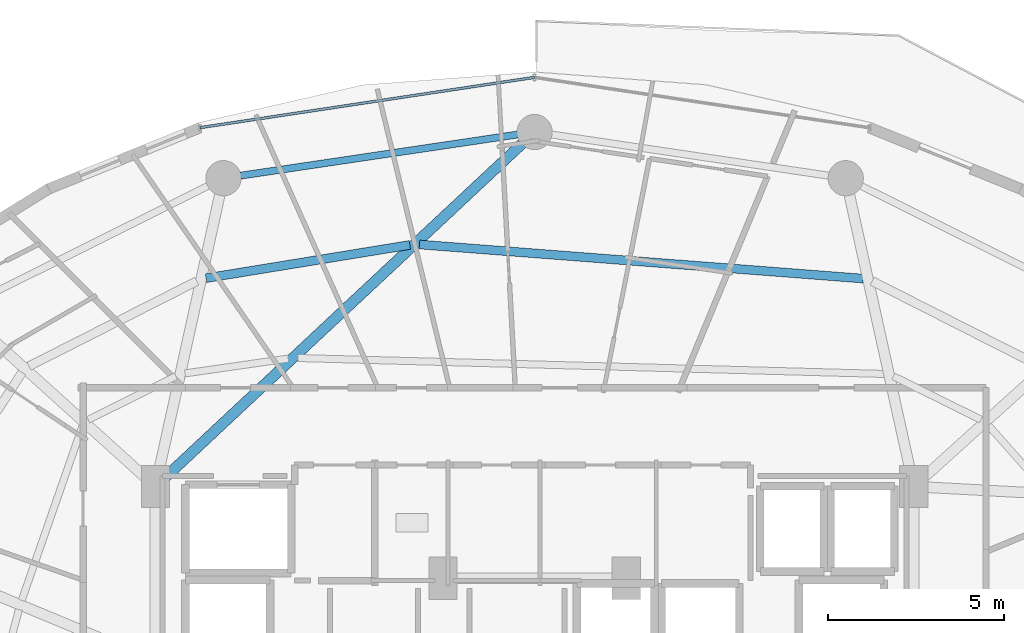
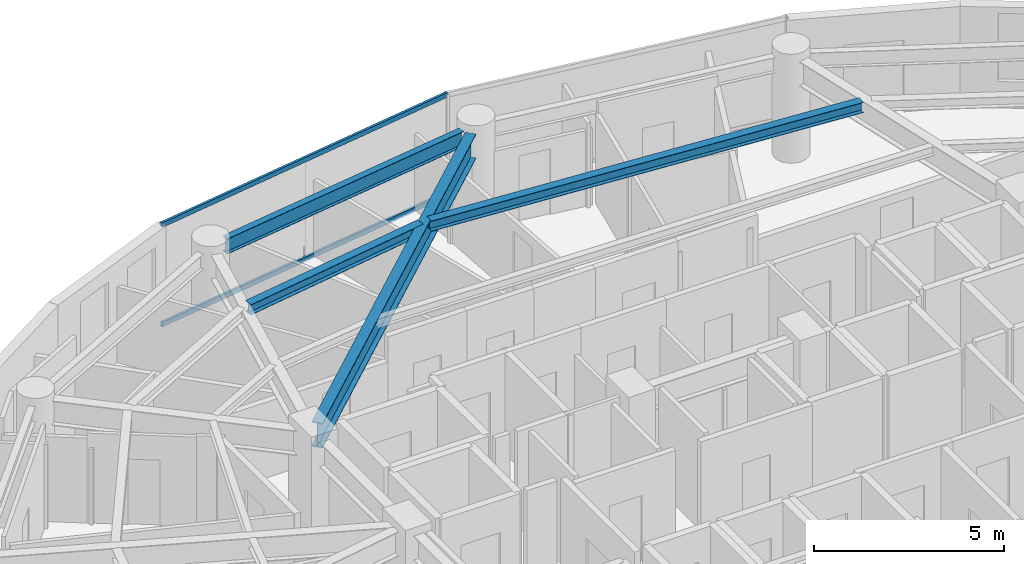
# One storey, part 16 of 28: 4 beams, 2 members, 1 element without a shape of its own.
"""IFC4 building model written with IfcOpenShell, lengths in metres."""

from ifc_helpers import new_model, si_unit, direction, frame, origin, origin_2d, place, context, subcontext, project, spatial, hollow_rectangle, i_section, extrude, material, material_profile, profile_set, type_object, element, aggregate, save


model = new_model("IFC4")

# Units and contexts
model_context = context("Model", 3, precision=1e-05, world=origin(), true_north=direction((0.0, 1.0)))
body_context = subcontext(model_context, "Body", "Model", "MODEL_VIEW")
ifc_project = project(units=[si_unit("LENGTHUNIT", "METRE"), si_unit("AREAUNIT", "SQUARE_METRE"), si_unit("VOLUMEUNIT", "CUBIC_METRE"), si_unit("PLANEANGLEUNIT", "RADIAN"), si_unit("MASSUNIT", "GRAM", prefix="KILO")], contexts=[model_context])

# Site, building, storey
site_placement = place(None, origin())
site = spatial("IfcSite", under=ifc_project, at=site_placement, CompositionType="ELEMENT")
building_placement = place(site_placement, origin())
building = spatial("IfcBuilding", under=site, at=building_placement, Name="Vorneva Point Tower", CompositionType="ELEMENT")
storey_placement = place(building_placement, frame((0.0, 0.0, 160.60009765625)))
storey = spatial("IfcBuildingStorey", under=building, at=storey_placement, Name="L43", CompositionType="ELEMENT", Elevation=160.60009765625)

# Beams
ifc_material_1 = material(Name="Steel S355", Category="steel")
ifc_material_profile_1 = material_profile(ifc_material_1, i_section(OverallWidth=0.300048828125, OverallDepth=0.7880859375, WebThickness=0.014404296875, FlangeThickness=0.02197265625, at=origin_2d()), Name="80Sh1")
ifc_profile_set_1 = profile_set([ifc_material_profile_1], Name="Steel S355")
beam_type_1 = type_object("IfcBeamType", Name="BM-GRD-80Sh1", PredefinedType="USERDEFINED", material=ifc_profile_set_1)
beam_1_placement = place(storey_placement, frame((37.6435546875, 42.86669921875, 2.845947265625), z_axis=(-0.730490907119, -0.682922422107, 0.0), x_axis=(0.682922422107, -0.730490907119, 0.0)))
element("IfcBeam", 1, at=beam_1_placement, inside=storey, type_object=beam_type_1, Name="L43 Radial Primary Girder 05", ObjectType="GIRDER", PredefinedType="USERDEFINED", context=body_context, shape_type="SweptSolid", body=[
    extrude(i_section(OverallWidth=0.300048828125, OverallDepth=0.7880859375, WebThickness=0.014404296875, FlangeThickness=0.02197265625, at=origin_2d()), origin(), (0.0, 0.0, 1.0), 13.88818359375),
])
ifc_material_profile_2 = material_profile(ifc_material_1, i_section(OverallWidth=0.2490234375, OverallDepth=0.333984375, WebThickness=0.008056640625, FlangeThickness=0.010986328125, at=origin_2d()), Name="35Sh1")
ifc_profile_set_2 = profile_set([ifc_material_profile_2], Name="Steel S355")
beam_type_2 = type_object("IfcBeamType", Name="BM-SEC-35Sh1", PredefinedType="BEAM", material=ifc_profile_set_2)
beam_2_placement = place(storey_placement, frame((47.313720703125, 39.045166015625, 3.072998046875), z_axis=(-0.997065519462, 0.076552922221, 0.0), x_axis=(-0.076552922221, -0.997065519462, 0.0)))
element("IfcBeam", 2, at=beam_2_placement, inside=storey, type_object=beam_type_2, Name="L43 Secondary Floor Beam 1.04", PredefinedType="BEAM", context=body_context, shape_type="SweptSolid", body=[
    extrude(i_section(OverallWidth=0.2490234375, OverallDepth=0.333984375, WebThickness=0.008056640625, FlangeThickness=0.010986328125, at=origin_2d()), origin(), (0.0, 0.0, 1.0), 12.61328125),
])
beam_3_placement = place(storey_placement, frame((34.4638671875, 39.9990234375, 3.072998046875), z_axis=(-0.986970337588, -0.160902308004, 0.0), x_axis=(0.160902308004, -0.986970337588, 0.0)))
element("IfcBeam", 3, at=beam_3_placement, inside=storey, type_object=beam_type_2, Name="L43 Secondary Floor Beam 1.05", PredefinedType="BEAM", context=body_context, shape_type="SweptSolid", body=[
    extrude(i_section(OverallWidth=0.2490234375, OverallDepth=0.333984375, WebThickness=0.008056640625, FlangeThickness=0.010986328125, at=origin_2d()), origin(), (0.0, 0.0, 1.0), 5.855224609375),
])
ifc_material_profile_3 = material_profile(ifc_material_1, i_section(OverallWidth=0.199951171875, OverallDepth=0.491943359375, WebThickness=0.0087890625, FlangeThickness=0.011962890625, at=origin_2d()), Name="50B1")
ifc_profile_set_3 = profile_set([ifc_material_profile_3], Name="Steel S355")
beam_type_3 = type_object("IfcBeamType", Name="BM-SPN-50B1", PredefinedType="SPANDREL", material=ifc_profile_set_3)
beam_4_placement = place(storey_placement, frame((37.520263671875, 43.12890625, 2.993896484375), z_axis=(-0.989161199046, -0.146833655211, 0.0), x_axis=(0.146833655211, -0.989161199046, 0.0)))
element("IfcBeam", 4, at=beam_4_placement, inside=storey, type_object=beam_type_3, Name="L43 Perimeter Spandrel Ring Beam 05", PredefinedType="SPANDREL", context=body_context, shape_type="SweptSolid", body=[
    extrude(i_section(OverallWidth=0.199951171875, OverallDepth=0.491943359375, WebThickness=0.0087890625, FlangeThickness=0.011962890625, at=origin_2d()), origin(), (0.0, 0.0, 1.0), 7.94775390625),
])

# Curtain wall, members
ifc_material_2 = material(Name="Pale anodised aluminium", Category="aluminium")
curtain_wall_type = type_object("IfcCurtainWallType", Name="CW-RES-SYS", PredefinedType="NOTDEFINED", material=ifc_material_2)
curtain_wall_placement = place(storey_placement, origin())
curtain_wall = element("IfcCurtainWall", 5, at=curtain_wall_placement, inside=storey, type_object=curtain_wall_type, Name="L43 Unitised Curtain Wall CW-L43-R02", PredefinedType="NOTDEFINED")
ifc_material_profile_4 = material_profile(ifc_material_2, hollow_rectangle(XDim=0.074951171875, YDim=0.14990234375, WallThickness=0.00390625, at=origin_2d()), Name="AL-TRN 150x75x4")
ifc_profile_set_4 = profile_set([ifc_material_profile_4], Name="Pale anodised aluminium")
member_type = type_object("IfcMemberType", Name="CW-TRN-150", PredefinedType="USERDEFINED", material=ifc_profile_set_4)
member_1_placement = place(storey_placement, frame((38.0, 44.75, 0.02001953125), z_axis=(-0.988880117727, -0.148714870687, 0.0), x_axis=(0.148714870687, -0.988880117727, 0.0)))
member_1 = element("IfcMember", 6, at=member_1_placement, type_object=member_type, Name="CW-L43-R02 Transom 02.1", ObjectType="TRANSOM", PredefinedType="USERDEFINED", context=body_context, shape_type="SweptSolid", body=[
    extrude(hollow_rectangle(XDim=0.074951171875, YDim=0.14990234375, WallThickness=0.00390625, at=origin_2d()), origin(), (0.0, 0.0, 1.0), 9.59716796875),
])
member_2_placement = place(storey_placement, frame((38.0, 44.75, 3.219970703125), z_axis=(-0.988880117727, -0.148714870687, 0.0), x_axis=(0.148714870687, -0.988880117727, 0.0)))
member_2 = element("IfcMember", 7, at=member_2_placement, type_object=member_type, Name="CW-L43-R02 Transom 02.2", ObjectType="TRANSOM", PredefinedType="USERDEFINED", context=body_context, shape_type="SweptSolid", body=[
    extrude(hollow_rectangle(XDim=0.074951171875, YDim=0.14990234375, WallThickness=0.00390625, at=origin_2d()), origin(), (0.0, 0.0, 1.0), 9.59716796875),
])
aggregate(curtain_wall, [member_1, member_2])

save(model, "model.ifc")
